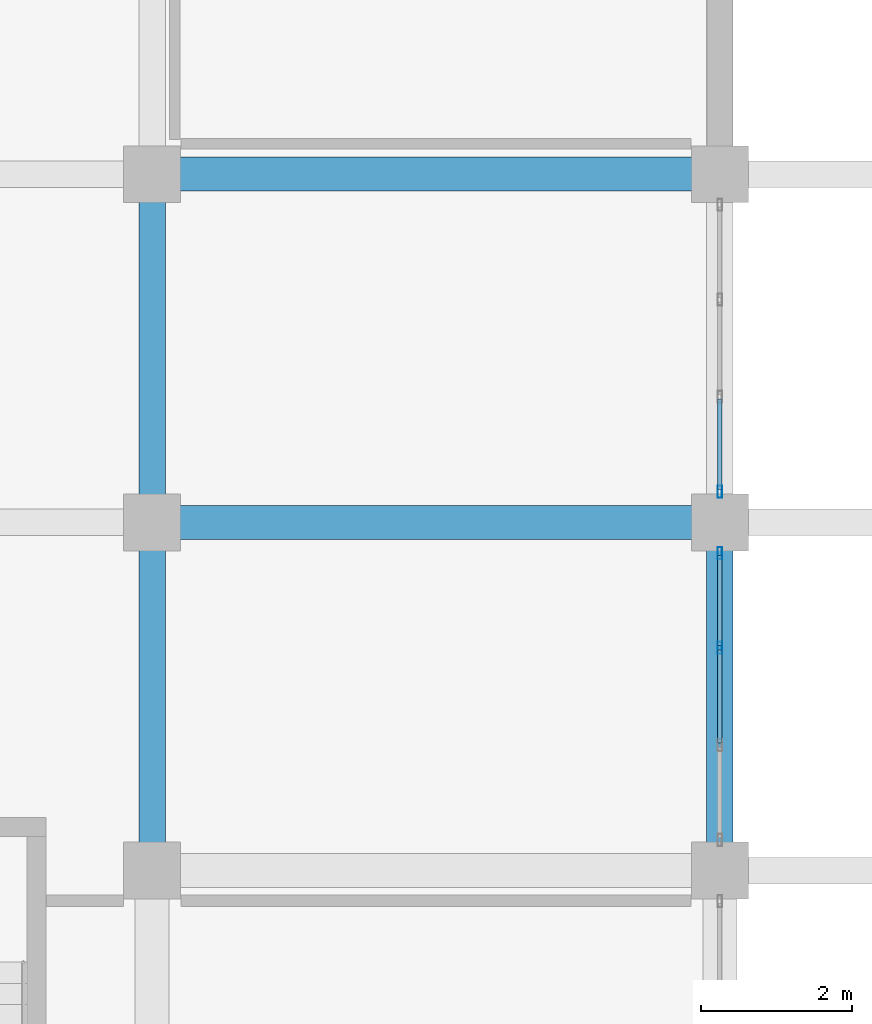
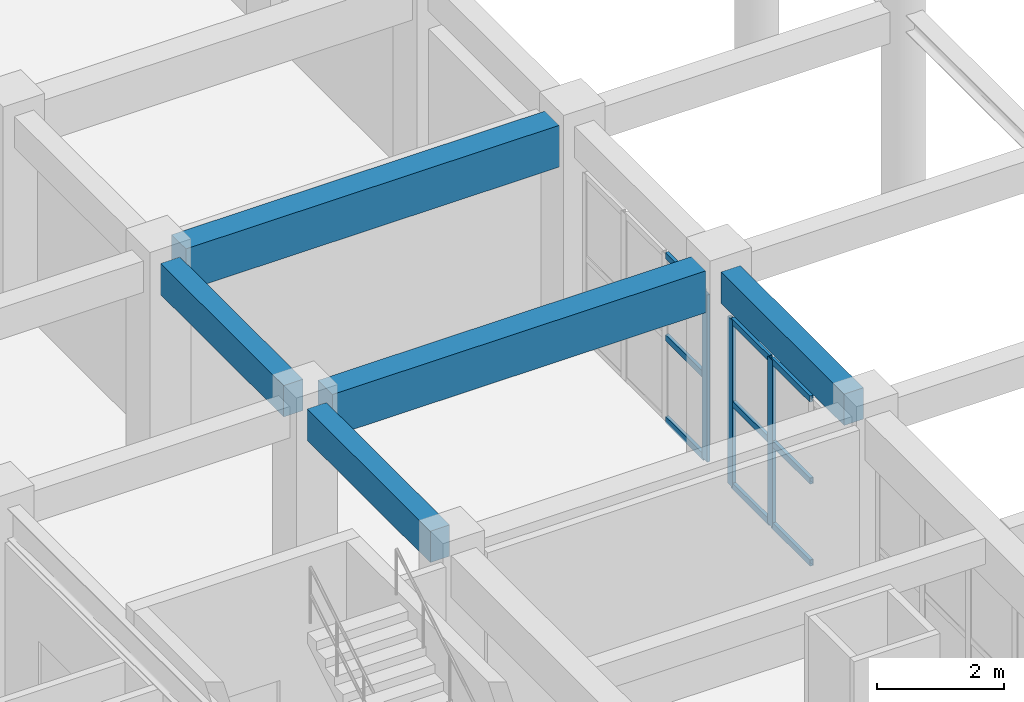
# One storey, part 60 of 116: 12 members, 5 beams, 2 elements without a shape of their own.
"""IFC4 building model written with IfcOpenShell, lengths in metres."""

from ifc_helpers import new_model, si_unit, direction, frame, origin, origin_2d, place, context, subcontext, project, spatial, rectangle, hollow_rectangle, extrude, material, layer, layer_set, material_profile, profile_set, type_object, element, aggregate, save


model = new_model("IFC4")

# Units and contexts
model_context = context("Model", 3, precision=1e-05, world=origin(), true_north=direction((0.0, 1.0)))
body_context = subcontext(model_context, "Body", "Model", "MODEL_VIEW")
ifc_project = project(units=[si_unit("LENGTHUNIT", "METRE"), si_unit("AREAUNIT", "SQUARE_METRE"), si_unit("VOLUMEUNIT", "CUBIC_METRE"), si_unit("PLANEANGLEUNIT", "RADIAN"), si_unit("MASSUNIT", "GRAM", prefix="KILO")], contexts=[model_context])

# Site, building, storey
site_placement = place(None, origin())
site = spatial("IfcSite", under=ifc_project, at=site_placement, CompositionType="ELEMENT")
building_placement = place(site_placement, origin())
building = spatial("IfcBuilding", under=site, at=building_placement, Name="Muzn Square Opera House", CompositionType="ELEMENT")
storey_placement = place(building_placement, frame((0.0, 0.0, 5.39990234375)))
storey = spatial("IfcBuildingStorey", under=building, at=storey_placement, Name="L01", CompositionType="ELEMENT", Elevation=5.39990234375)

# Curtain wall, members
ifc_material_1 = material(Name="Low-E laminated acoustic double glazing", Category="glass")
ifc_layer = layer(ifc_material_1, 0.159912109375, Name="Low-E laminated acoustic double glazing", Category="glass")
ifc_layer_set = layer_set([ifc_layer], Name="Low-E laminated acoustic double glazing")
curtain_wall_type = type_object("IfcCurtainWallType", Name="Glazed Curtain Wall EastBlvd 3850x3200", PredefinedType="USERDEFINED", material=ifc_layer_set)
curtain_wall_1_placement = place(storey_placement, origin())
curtain_wall_1 = element("IfcCurtainWall", 1, at=curtain_wall_1_placement, inside=storey, type_object=curtain_wall_type, Name="Glazed Curtain Wall CW-L01-114", ObjectType="GLAZED CURTAIN WALL", PredefinedType="USERDEFINED")
ifc_material_2 = material(Name="Anodised bronze aluminium 6063-T6", Category="metal")
ifc_material_profile_1 = material_profile(ifc_material_2, hollow_rectangle(XDim=0.06005859375, YDim=0.159912109375, WallThickness=0.00390625, at=origin_2d()), Name="ALU 160x60x4", Category="metal")
ifc_profile_set_1 = profile_set([ifc_material_profile_1], Name="Anodised bronze aluminium 6063-T6")
member_type_1 = type_object("IfcMemberType", Name="Curtain Wall Mullion 160x60", PredefinedType="MULLION", material=ifc_profile_set_1)
member_1_placement = place(storey_placement, frame((170.0, 24.941650390625, 0.0), z_axis=(0.0, 0.0, 1.0), x_axis=(-1.0, 0.0, 0.0)))
member_1 = element("IfcMember", 2, at=member_1_placement, type_object=member_type_1, Name="CW-EBL-38x32 mullion 3", PredefinedType="MULLION", context=body_context, shape_type="SweptSolid", body=[
    extrude(hollow_rectangle(XDim=0.06005859375, YDim=0.159912109375, WallThickness=0.00390625, at=origin_2d()), origin(), (0.0, 0.0, 1.0), 3.2001953125),
])
member_2_placement = place(storey_placement, frame((170.0, 26.195068359375, 0.0), z_axis=(0.0, 0.0, 1.0), x_axis=(-1.0, 0.0, 0.0)))
member_2 = element("IfcMember", 3, at=member_2_placement, type_object=member_type_1, Name="CW-EBL-38x32 mullion 4", PredefinedType="MULLION", context=body_context, shape_type="SweptSolid", body=[
    extrude(hollow_rectangle(XDim=0.06005859375, YDim=0.159912109375, WallThickness=0.00390625, at=origin_2d()), origin(), (0.0, 0.0, 1.0), 3.2001953125),
])

# Curtain wall, member
curtain_wall_2_placement = place(storey_placement, origin())
curtain_wall_2 = element("IfcCurtainWall", 4, at=curtain_wall_2_placement, inside=storey, type_object=curtain_wall_type, Name="Glazed Curtain Wall CW-L01-115", ObjectType="GLAZED CURTAIN WALL", PredefinedType="USERDEFINED")
member_3_placement = place(storey_placement, frame((170.0, 27.0048828125, 0.0), z_axis=(0.0, 0.0, 1.0), x_axis=(-1.0, 0.0, 0.0)))
member_3 = element("IfcMember", 5, at=member_3_placement, type_object=member_type_1, Name="CW-EBL-38x32 mullion 1", PredefinedType="MULLION", context=body_context, shape_type="SweptSolid", body=[
    extrude(hollow_rectangle(XDim=0.06005859375, YDim=0.159912109375, WallThickness=0.00390625, at=origin_2d()), origin(), (0.0, 0.0, 1.0), 3.2001953125),
])

# Member
ifc_material_profile_2 = material_profile(ifc_material_2, hollow_rectangle(XDim=0.06005859375, YDim=0.1201171875, WallThickness=0.00390625, at=origin_2d()), Name="ALU 120x60x4", Category="metal")
ifc_profile_set_2 = profile_set([ifc_material_profile_2], Name="Anodised bronze aluminium 6063-T6")
member_type_2 = type_object("IfcMemberType", Name="Curtain Wall Transom 120x60", PredefinedType="USERDEFINED", material=ifc_profile_set_2)
member_4_placement = place(storey_placement, frame((170.0, 23.688232421875, 0.030029296875), z_axis=(0.0, 1.0, 0.0), x_axis=(-1.0, 0.0, 0.0)))
member_4 = element("IfcMember", 6, at=member_4_placement, type_object=member_type_2, Name="CW-EBL-38x32 transom 2.1", ObjectType="TRANSOM", PredefinedType="USERDEFINED", context=body_context, shape_type="SweptSolid", body=[
    extrude(hollow_rectangle(XDim=0.06005859375, YDim=0.1201171875, WallThickness=0.00390625, at=origin_2d()), origin(), (0.0, 0.0, 1.0), 1.223388671875),
])

member_5_placement = place(storey_placement, frame((170.0, 23.688232421875, 1.60009765625), z_axis=(0.0, 1.0, 0.0), x_axis=(-1.0, 0.0, 0.0)))
member_5 = element("IfcMember", 7, at=member_5_placement, type_object=member_type_2, Name="CW-EBL-38x32 transom 2.2", ObjectType="TRANSOM", PredefinedType="USERDEFINED", context=body_context, shape_type="SweptSolid", body=[
    extrude(hollow_rectangle(XDim=0.06005859375, YDim=0.1201171875, WallThickness=0.00390625, at=origin_2d()), origin(), (0.0, 0.0, 1.0), 1.223388671875),
])

member_6_placement = place(storey_placement, frame((170.0, 23.688232421875, 3.170166015625), z_axis=(0.0, 1.0, 0.0), x_axis=(-1.0, 0.0, 0.0)))
member_6 = element("IfcMember", 8, at=member_6_placement, type_object=member_type_2, Name="CW-EBL-38x32 transom 2.3", ObjectType="TRANSOM", PredefinedType="USERDEFINED", context=body_context, shape_type="SweptSolid", body=[
    extrude(hollow_rectangle(XDim=0.06005859375, YDim=0.1201171875, WallThickness=0.00390625, at=origin_2d()), origin(), (0.0, 0.0, 1.0), 1.223388671875),
])

member_7_placement = place(storey_placement, frame((170.0, 24.9716796875, 0.030029296875), z_axis=(0.0, 1.0, 0.0), x_axis=(-1.0, 0.0, 0.0)))
member_7 = element("IfcMember", 9, at=member_7_placement, type_object=member_type_2, Name="CW-EBL-38x32 transom 3.1", ObjectType="TRANSOM", PredefinedType="USERDEFINED", context=body_context, shape_type="SweptSolid", body=[
    extrude(hollow_rectangle(XDim=0.06005859375, YDim=0.1201171875, WallThickness=0.00390625, at=origin_2d()), origin(), (0.0, 0.0, 1.0), 1.193359375),
])

member_8_placement = place(storey_placement, frame((170.0, 24.9716796875, 1.60009765625), z_axis=(0.0, 1.0, 0.0), x_axis=(-1.0, 0.0, 0.0)))
member_8 = element("IfcMember", 10, at=member_8_placement, type_object=member_type_2, Name="CW-EBL-38x32 transom 3.2", ObjectType="TRANSOM", PredefinedType="USERDEFINED", context=body_context, shape_type="SweptSolid", body=[
    extrude(hollow_rectangle(XDim=0.06005859375, YDim=0.1201171875, WallThickness=0.00390625, at=origin_2d()), origin(), (0.0, 0.0, 1.0), 1.193359375),
])

member_9_placement = place(storey_placement, frame((170.0, 24.9716796875, 3.170166015625), z_axis=(0.0, 1.0, 0.0), x_axis=(-1.0, 0.0, 0.0)))
member_9 = element("IfcMember", 11, at=member_9_placement, type_object=member_type_2, Name="CW-EBL-38x32 transom 3.3", ObjectType="TRANSOM", PredefinedType="USERDEFINED", context=body_context, shape_type="SweptSolid", body=[
    extrude(hollow_rectangle(XDim=0.06005859375, YDim=0.1201171875, WallThickness=0.00390625, at=origin_2d()), origin(), (0.0, 0.0, 1.0), 1.193359375),
])

aggregate(curtain_wall_1, [member_1, member_2, member_4, member_5, member_6, member_7, member_8, member_9])

member_10_placement = place(storey_placement, frame((170.0, 27.034912109375, 0.030029296875), z_axis=(0.0, 1.0, 0.0), x_axis=(-1.0, 0.0, 0.0)))
member_10 = element("IfcMember", 12, at=member_10_placement, type_object=member_type_2, Name="CW-EBL-38x32 transom 1.1", ObjectType="TRANSOM", PredefinedType="USERDEFINED", context=body_context, shape_type="SweptSolid", body=[
    extrude(hollow_rectangle(XDim=0.06005859375, YDim=0.1201171875, WallThickness=0.00390625, at=origin_2d()), origin(), (0.0, 0.0, 1.0), 1.193359375),
])

member_11_placement = place(storey_placement, frame((170.0, 27.034912109375, 1.60009765625), z_axis=(0.0, 1.0, 0.0), x_axis=(-1.0, 0.0, 0.0)))
member_11 = element("IfcMember", 13, at=member_11_placement, type_object=member_type_2, Name="CW-EBL-38x32 transom 1.2", ObjectType="TRANSOM", PredefinedType="USERDEFINED", context=body_context, shape_type="SweptSolid", body=[
    extrude(hollow_rectangle(XDim=0.06005859375, YDim=0.1201171875, WallThickness=0.00390625, at=origin_2d()), origin(), (0.0, 0.0, 1.0), 1.193359375),
])

member_12_placement = place(storey_placement, frame((170.0, 27.034912109375, 3.170166015625), z_axis=(0.0, 1.0, 0.0), x_axis=(-1.0, 0.0, 0.0)))
member_12 = element("IfcMember", 14, at=member_12_placement, type_object=member_type_2, Name="CW-EBL-38x32 transom 1.3", ObjectType="TRANSOM", PredefinedType="USERDEFINED", context=body_context, shape_type="SweptSolid", body=[
    extrude(hollow_rectangle(XDim=0.06005859375, YDim=0.1201171875, WallThickness=0.00390625, at=origin_2d()), origin(), (0.0, 0.0, 1.0), 1.193359375),
])

aggregate(curtain_wall_2, [member_3, member_10, member_11, member_12])

# Beams
ifc_material_3 = material(Name="Concrete C40/50", Category="concrete")
ifc_material_profile_3 = material_profile(ifc_material_3, rectangle(XDim=0.35009765625, YDim=0.60009765625, at=origin_2d()), Name="RCB 350x600", Category="concrete")
ifc_profile_set_3 = profile_set([ifc_material_profile_3], Name="Concrete C40/50")
beam_type_1 = type_object("IfcBeamType", Name="Primary Girder 350x600", PredefinedType="BEAM", material=ifc_profile_set_3)
for number, where, z_axis, x_axis, name in (
    (15, (162.5, 22.366943359375, 3.820068359375), (0.0, 1.0, 0.0), (-1.0, 0.0, 0.0), "Primary Girder BM-L01-BM-PG600-1625_224_1625_262-1753"),
    (16, (162.5, 26.967041015625, 3.820068359375), (0.0, 1.0, 0.0), (-1.0, 0.0, 0.0), "Primary Girder BM-L01-BM-PG600-1625_270_1625_308-1754"),
    (17, (170.0, 22.366943359375, 3.820068359375), (0.0, 1.0, 0.0), (-1.0, 0.0, 0.0), "Primary Girder BM-L01-BM-PG600-1700_224_1700_262-1768"),
):
    element("IfcBeam", number, at=place(storey_placement, frame(where, z_axis=z_axis, x_axis=x_axis)), inside=storey, type_object=beam_type_1, Name=name, PredefinedType="BEAM", context=body_context, shape_type="SweptSolid", body=[
        extrude(rectangle(XDim=0.35009765625, YDim=0.60009765625, at=origin_2d()), origin(), (0.0, 0.0, 1.0), 3.865966796875),
    ])
ifc_material_profile_4 = material_profile(ifc_material_3, rectangle(XDim=0.449951171875, YDim=0.800048828125, at=origin_2d()), Name="RCB 450x800", Category="concrete")
ifc_profile_set_4 = profile_set([ifc_material_profile_4], Name="Concrete C40/50")
beam_type_2 = type_object("IfcBeamType", Name="Primary Girder 450x800", PredefinedType="BEAM", material=ifc_profile_set_4)
for number, where, z_axis, x_axis, name in (
    (18, (162.866943359375, 26.60009765625, 3.72021484375), (1.0, 0.0, 0.0), (0.0, 1.0, 0.0), "Primary Girder BM-L01-BM-PG800-1629_266_1696_266-1310"),
    (19, (162.866943359375, 31.199951171875, 3.72021484375), (1.0, 0.0, 0.0), (0.0, 1.0, 0.0), "Primary Girder BM-L01-BM-PG800-1629_312_1696_312-1331"),
):
    element("IfcBeam", number, at=place(storey_placement, frame(where, z_axis=z_axis, x_axis=x_axis)), inside=storey, type_object=beam_type_2, Name=name, PredefinedType="BEAM", context=body_context, shape_type="SweptSolid", body=[
        extrude(rectangle(XDim=0.449951171875, YDim=0.800048828125, at=origin_2d()), origin(), (0.0, 0.0, 1.0), 6.76611328125),
    ])

save(model, "model.ifc")
